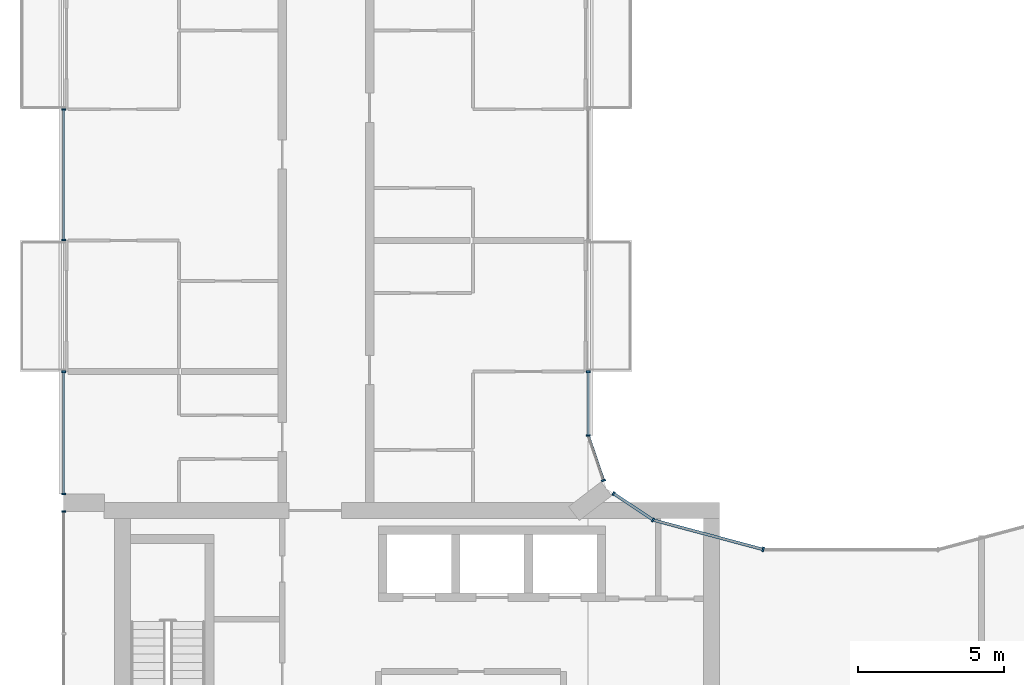
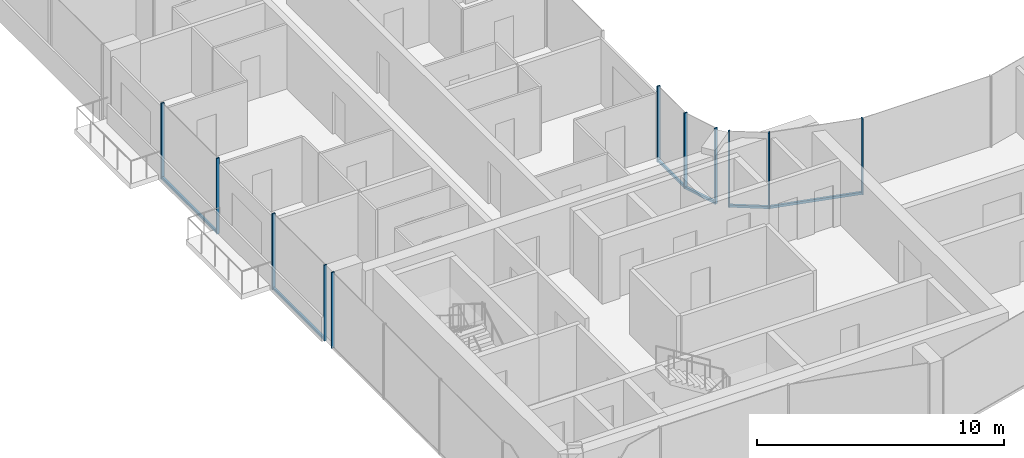
# One storey, part 4 of 16: 17 members, 7 elements without a shape of their own.
"""IFC4 building model written with IfcOpenShell, lengths in metres."""

from ifc_helpers import new_model, si_unit, direction, frame, origin, origin_2d, place, context, subcontext, project, spatial, rectangle, extrude, material, layer, layer_set, material_profile, profile_set, type_object, element, aggregate, save


model = new_model("IFC4")

# Units and contexts
model_context = context("Model", 3, precision=1e-05, world=origin(), true_north=direction((0.0, 1.0)))
body_context = subcontext(model_context, "Body", "Model", "MODEL_VIEW")
ifc_project = project(units=[si_unit("LENGTHUNIT", "METRE"), si_unit("AREAUNIT", "SQUARE_METRE"), si_unit("VOLUMEUNIT", "CUBIC_METRE"), si_unit("PLANEANGLEUNIT", "RADIAN"), si_unit("MASSUNIT", "GRAM", prefix="KILO")], contexts=[model_context])

# Site, building, storey
site_placement = place(None, origin())
site = spatial("IfcSite", under=ifc_project, at=site_placement, CompositionType="ELEMENT")
building_placement = place(site_placement, origin())
building = spatial("IfcBuilding", under=site, at=building_placement, Name="Plateau Cross Towers", CompositionType="ELEMENT")
storey_placement = place(building_placement, frame((0.0, 0.0, 181.39990234375)))
storey = spatial("IfcBuildingStorey", under=building, at=storey_placement, Name="L47", CompositionType="ELEMENT", Elevation=181.39990234375)

# Curtain wall, members
ifc_material_1 = material(Name="Dark low-iron glass", Category="glass")
ifc_layer_1 = layer(ifc_material_1, 0.239990234375)
ifc_layer_set_1 = layer_set([ifc_layer_1], Name="Dark low-iron glass")
curtain_wall_type_1 = type_object("IfcCurtainWallType", Name="Curtain wall flush unitised CW-B", PredefinedType="NOTDEFINED", material=ifc_layer_set_1)
curtain_wall_1_placement = place(storey_placement, origin())
curtain_wall_1 = element("IfcCurtainWall", 1, at=curtain_wall_1_placement, inside=storey, type_object=curtain_wall_type_1, Name="ENV/A/L47/A202_174", PredefinedType="NOTDEFINED")
ifc_material_2 = material(Name="Black anodised aluminium", Category="aluminium")
ifc_material_profile_1 = material_profile(ifc_material_2, rectangle(XDim=0.06005859375, YDim=0.139892578125, at=origin_2d()), Name="MULLION 60x140")
ifc_profile_set_1 = profile_set([ifc_material_profile_1], Name="Black anodised aluminium")
member_type_1 = type_object("IfcMemberType", Name="Mullion 60x140 flush unitised", PredefinedType="MULLION", material=ifc_profile_set_1)
member_1_placement = place(storey_placement, frame((20.223876953125, 17.404296875, -0.25), z_axis=(0.0, 0.0, 1.0), x_axis=(-0.831521253329, 0.555492938984, 0.0)))
member_1 = element("IfcMember", 2, at=member_1_placement, type_object=member_type_1, Name="CW-B mullion 1", PredefinedType="MULLION", context=body_context, shape_type="SweptSolid", body=[
    extrude(rectangle(XDim=0.06005859375, YDim=0.139892578125, at=origin_2d()), origin(), (0.0, 0.0, 1.0), 3.75),
])
member_2_placement = place(storey_placement, frame((18.86962890625, 18.30908203125, -0.25), z_axis=(0.0, 0.0, 1.0), x_axis=(-0.831521253329, 0.555492938984, 0.0)))
member_2 = element("IfcMember", 3, at=member_2_placement, type_object=member_type_1, Name="CW-B mullion 2", PredefinedType="MULLION", context=body_context, shape_type="SweptSolid", body=[
    extrude(rectangle(XDim=0.06005859375, YDim=0.139892578125, at=origin_2d()), origin(), (0.0, 0.0, 1.0), 3.75),
])

# Curtain wall, member
curtain_wall_2_placement = place(storey_placement, origin())
curtain_wall_2 = element("IfcCurtainWall", 4, at=curtain_wall_2_placement, inside=storey, type_object=curtain_wall_type_1, Name="ENV/A/L47/A185_188", PredefinedType="NOTDEFINED")
member_3_placement = place(storey_placement, frame((18.523681640625, 18.760009765625, -0.25), z_axis=(0.0, 0.0, 1.0), x_axis=(-0.321469161574, 0.94692004845, 0.0)))
member_3 = element("IfcMember", 5, at=member_3_placement, type_object=member_type_1, Name="CW-B mullion 1", PredefinedType="MULLION", context=body_context, shape_type="SweptSolid", body=[
    extrude(rectangle(XDim=0.06005859375, YDim=0.139892578125, at=origin_2d()), origin(), (0.0, 0.0, 1.0), 3.75),
])

# Curtain wall, members
curtain_wall_3_placement = place(storey_placement, origin())
curtain_wall_3 = element("IfcCurtainWall", 6, at=curtain_wall_3_placement, inside=storey, type_object=curtain_wall_type_1, Name="ENV/A/L47/A180_203", PredefinedType="NOTDEFINED")
member_4_placement = place(storey_placement, frame((18.0, 20.30224609375, -0.25), z_axis=(0.0, 0.0, 1.0), x_axis=(0.0, 1.0, 0.0)))
member_4 = element("IfcMember", 7, at=member_4_placement, type_object=member_type_1, Name="CW-B mullion 1", PredefinedType="MULLION", context=body_context, shape_type="SweptSolid", body=[
    extrude(rectangle(XDim=0.06005859375, YDim=0.139892578125, at=origin_2d()), origin(), (0.0, 0.0, 1.0), 3.75),
])
member_5_placement = place(storey_placement, frame((18.0, 22.489990234375, -0.25), z_axis=(0.0, 0.0, 1.0), x_axis=(0.0, 1.0, 0.0)))
member_5 = element("IfcMember", 8, at=member_5_placement, type_object=member_type_1, Name="CW-B mullion 2", PredefinedType="MULLION", context=body_context, shape_type="SweptSolid", body=[
    extrude(rectangle(XDim=0.06005859375, YDim=0.139892578125, at=origin_2d()), origin(), (0.0, 0.0, 1.0), 3.75),
])

curtain_wall_4_placement = place(storey_placement, origin())
curtain_wall_4 = element("IfcCurtainWall", 9, at=curtain_wall_4_placement, inside=storey, type_object=curtain_wall_type_1, Name="ENV/A/L47/A0_315", PredefinedType="NOTDEFINED")
member_6_placement = place(storey_placement, frame((0.0, 31.489990234375, -0.25), z_axis=(0.0, 0.0, 1.0), x_axis=(0.0, -1.0, 0.0)))
member_6 = element("IfcMember", 10, at=member_6_placement, type_object=member_type_1, Name="CW-B mullion 1", PredefinedType="MULLION", context=body_context, shape_type="SweptSolid", body=[
    extrude(rectangle(XDim=0.06005859375, YDim=0.139892578125, at=origin_2d()), origin(), (0.0, 0.0, 1.0), 3.75),
])
member_7_placement = place(storey_placement, frame((0.0, 27.010009765625, -0.25), z_axis=(0.0, 0.0, 1.0), x_axis=(0.0, -1.0, 0.0)))
member_7 = element("IfcMember", 11, at=member_7_placement, type_object=member_type_1, Name="CW-B mullion 2", PredefinedType="MULLION", context=body_context, shape_type="SweptSolid", body=[
    extrude(rectangle(XDim=0.06005859375, YDim=0.139892578125, at=origin_2d()), origin(), (0.0, 0.0, 1.0), 3.75),
])

curtain_wall_5_placement = place(storey_placement, origin())
curtain_wall_5 = element("IfcCurtainWall", 12, at=curtain_wall_5_placement, inside=storey, type_object=curtain_wall_type_1, Name="ENV/A/L47/A0_225", PredefinedType="NOTDEFINED")
member_8_placement = place(storey_placement, frame((0.0, 22.489990234375, -0.25), z_axis=(0.0, 0.0, 1.0), x_axis=(0.0, -1.0, 0.0)))
member_8 = element("IfcMember", 13, at=member_8_placement, type_object=member_type_1, Name="CW-B mullion 1", PredefinedType="MULLION", context=body_context, shape_type="SweptSolid", body=[
    extrude(rectangle(XDim=0.06005859375, YDim=0.139892578125, at=origin_2d()), origin(), (0.0, 0.0, 1.0), 3.75),
])
member_9_placement = place(storey_placement, frame((0.0, 18.300048828125, -0.25), z_axis=(0.0, 0.0, 1.0), x_axis=(0.0, -1.0, 0.0)))
member_9 = element("IfcMember", 14, at=member_9_placement, type_object=member_type_1, Name="CW-B mullion 2", PredefinedType="MULLION", context=body_context, shape_type="SweptSolid", body=[
    extrude(rectangle(XDim=0.06005859375, YDim=0.139892578125, at=origin_2d()), origin(), (0.0, 0.0, 1.0), 3.75),
])

# Curtain wall, member
curtain_wall_6_placement = place(storey_placement, origin())
curtain_wall_6 = element("IfcCurtainWall", 15, at=curtain_wall_6_placement, inside=storey, type_object=curtain_wall_type_1, Name="ENV/A/L47/A0_177", PredefinedType="NOTDEFINED")
member_10_placement = place(storey_placement, frame((0.0, 17.699951171875, -0.25), z_axis=(0.0, 0.0, 1.0), x_axis=(0.0, -1.0, 0.0)))
member_10 = element("IfcMember", 16, at=member_10_placement, type_object=member_type_1, Name="CW-B mullion 1", PredefinedType="MULLION", context=body_context, shape_type="SweptSolid", body=[
    extrude(rectangle(XDim=0.06005859375, YDim=0.139892578125, at=origin_2d()), origin(), (0.0, 0.0, 1.0), 3.75),
])
aggregate(curtain_wall_6, [member_10])

ifc_layer_2 = layer(ifc_material_1, 0.260009765625)
ifc_layer_set_2 = layer_set([ifc_layer_2], Name="Dark low-iron glass")
curtain_wall_type_2 = type_object("IfcCurtainWallType", Name="Curtain wall fluted unitised CW-A", PredefinedType="NOTDEFINED", material=ifc_layer_set_2)
curtain_wall_7_placement = place(storey_placement, origin())
curtain_wall_7 = element("IfcCurtainWall", 17, at=curtain_wall_7_placement, inside=storey, type_object=curtain_wall_type_2, Name="ENV/A/L47/A240_164", PredefinedType="NOTDEFINED")
ifc_material_profile_2 = material_profile(ifc_material_2, rectangle(XDim=0.06005859375, YDim=0.159912109375, at=origin_2d()), Name="MULLION 60x160")
ifc_profile_set_2 = profile_set([ifc_material_profile_2], Name="Black anodised aluminium")
member_type_2 = type_object("IfcMemberType", Name="Mullion 60x160 fluted unitised", PredefinedType="MULLION", material=ifc_profile_set_2)
member_11_placement = place(storey_placement, frame((24.0, 16.39306640625, -0.25), z_axis=(0.0, 0.0, 1.0), x_axis=(-0.965957995816, 0.258698956933, 0.0)))
member_11 = element("IfcMember", 18, at=member_11_placement, type_object=member_type_2, Name="CW-A mullion 1", PredefinedType="MULLION", context=body_context, shape_type="SweptSolid", body=[
    extrude(rectangle(XDim=0.06005859375, YDim=0.159912109375, at=origin_2d()), origin(), (0.0, 0.0, 1.0), 3.75),
])

# Member
ifc_material_profile_3 = material_profile(ifc_material_2, rectangle(XDim=0.10009765625, YDim=0.1201171875, at=origin_2d()), Name="TRANSOM 100x120")
ifc_profile_set_3 = profile_set([ifc_material_profile_3], Name="Black anodised aluminium")
member_type_3 = type_object("IfcMemberType", Name="Transom 100x120 flush unitised", PredefinedType="USERDEFINED", material=ifc_profile_set_3)
member_12_placement = place(storey_placement, frame((20.223876953125, 17.404296875, -0.18994140625), z_axis=(-0.831496402487, 0.555530136582, 0.0), x_axis=(-0.555530136582, -0.831496402487, 0.0)))
member_12 = element("IfcMember", 19, at=member_12_placement, type_object=member_type_3, Name="CW-B transom", ObjectType="TRANSOM", PredefinedType="USERDEFINED", context=body_context, shape_type="SweptSolid", body=[
    extrude(rectangle(XDim=0.10009765625, YDim=0.1201171875, at=origin_2d()), origin(), (0.0, 0.0, 1.0), 1.628662109375),
])

aggregate(curtain_wall_1, [member_1, member_2, member_12])

member_13_placement = place(storey_placement, frame((18.523681640625, 18.760009765625, -0.18994140625), z_axis=(-0.321529174838, 0.946899672472, 0.0), x_axis=(-0.946899672472, -0.321529174838, 0.0)))
member_13 = element("IfcMember", 20, at=member_13_placement, type_object=member_type_3, Name="CW-B transom", ObjectType="TRANSOM", PredefinedType="USERDEFINED", context=body_context, shape_type="SweptSolid", body=[
    extrude(rectangle(XDim=0.10009765625, YDim=0.1201171875, at=origin_2d()), origin(), (0.0, 0.0, 1.0), 1.628662109375),
])

aggregate(curtain_wall_2, [member_3, member_13])

member_14_placement = place(storey_placement, frame((18.0, 20.30224609375, -0.18994140625), z_axis=(0.0, 1.0, 0.0), x_axis=(-1.0, 0.0, 0.0)))
member_14 = element("IfcMember", 21, at=member_14_placement, type_object=member_type_3, Name="CW-B transom", ObjectType="TRANSOM", PredefinedType="USERDEFINED", context=body_context, shape_type="SweptSolid", body=[
    extrude(rectangle(XDim=0.10009765625, YDim=0.1201171875, at=origin_2d()), origin(), (0.0, 0.0, 1.0), 2.187744140625),
])

aggregate(curtain_wall_3, [member_4, member_5, member_14])

member_15_placement = place(storey_placement, frame((0.0, 31.489990234375, -0.18994140625), z_axis=(0.0, -1.0, 0.0), x_axis=(1.0, 0.0, 0.0)))
member_15 = element("IfcMember", 22, at=member_15_placement, type_object=member_type_3, Name="CW-B transom", ObjectType="TRANSOM", PredefinedType="USERDEFINED", context=body_context, shape_type="SweptSolid", body=[
    extrude(rectangle(XDim=0.10009765625, YDim=0.1201171875, at=origin_2d()), origin(), (0.0, 0.0, 1.0), 4.47998046875),
])

aggregate(curtain_wall_4, [member_6, member_7, member_15])

member_16_placement = place(storey_placement, frame((0.0, 22.489990234375, -0.18994140625), z_axis=(0.0, -1.0, 0.0), x_axis=(1.0, 0.0, 0.0)))
member_16 = element("IfcMember", 23, at=member_16_placement, type_object=member_type_3, Name="CW-B transom", ObjectType="TRANSOM", PredefinedType="USERDEFINED", context=body_context, shape_type="SweptSolid", body=[
    extrude(rectangle(XDim=0.10009765625, YDim=0.1201171875, at=origin_2d()), origin(), (0.0, 0.0, 1.0), 4.18994140625),
])

aggregate(curtain_wall_5, [member_8, member_9, member_16])

ifc_material_profile_4 = material_profile(ifc_material_2, rectangle(XDim=0.10009765625, YDim=0.1201171875, at=origin_2d()), Name="TRANSOM 100x120")
ifc_profile_set_4 = profile_set([ifc_material_profile_4], Name="Black anodised aluminium")
member_type_4 = type_object("IfcMemberType", Name="Transom 100x120 fluted unitised", PredefinedType="USERDEFINED", material=ifc_profile_set_4)
member_17_placement = place(storey_placement, frame((24.0, 16.39306640625, -0.18994140625), z_axis=(-0.965962822393, 0.25868093427, 0.0), x_axis=(-0.25868093427, -0.965962822393, 0.0)))
member_17 = element("IfcMember", 24, at=member_17_placement, type_object=member_type_4, Name="CW-A transom", ObjectType="TRANSOM", PredefinedType="USERDEFINED", context=body_context, shape_type="SweptSolid", body=[
    extrude(rectangle(XDim=0.10009765625, YDim=0.1201171875, at=origin_2d()), origin(), (0.0, 0.0, 1.0), 3.9091796875),
])

aggregate(curtain_wall_7, [member_11, member_17])

save(model, "model.ifc")
